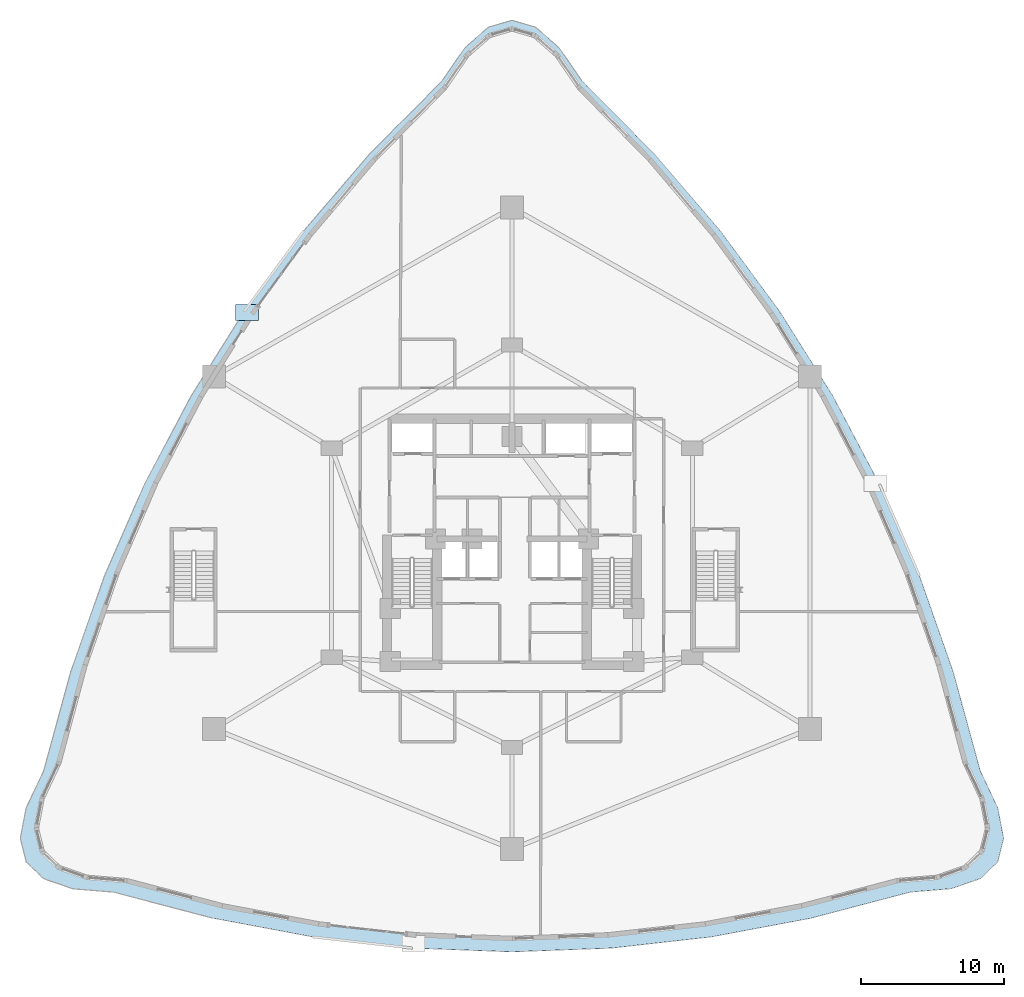
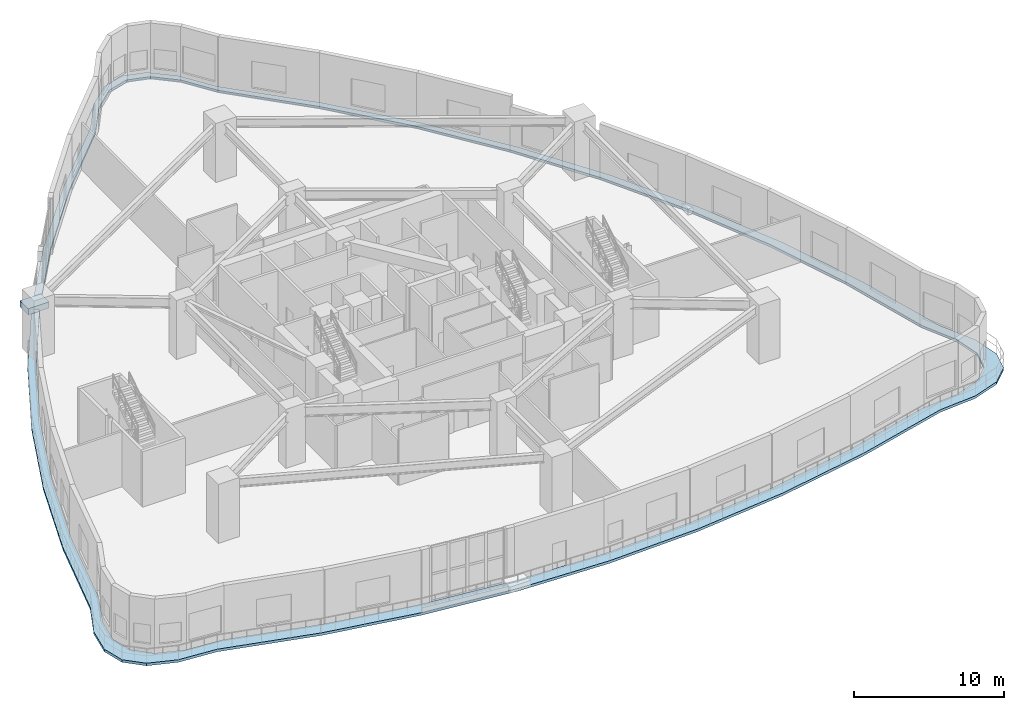
# One storey, part 12 of 23: 2 slabs.
"""IFC4 building model written with IfcOpenShell, lengths in metres."""

import ifcopenshell
import ifcopenshell.guid

model = None  # the IFC model being written
_history = None  # IfcOwnerHistory: only IFC2X3 demands one
_inside = {}  # id of a spatial element -> (the spatial element, [elements in it])
_under = {}  # id of a project, library or spatial element -> (it, [spatial elements below it])
_declared = {}  # id of a project -> (the project, [libraries it declares])
_typed = {}  # id of a type object -> (the type object, [elements of that type])
_made_of = {}  # id of a material, layer set ... -> (it, [elements and type objects made of it])


def new_model(schema):
    """Start an empty IFC model of exactly this schema.

    Asked for "IFC4X3", IfcOpenShell would pick the latest addendum, in which some entities
    have other attributes; the version numbers below select the first issue.
    IFC2X3 requires an IfcOwnerHistory on every rooted entity: one is made here for all.
    """
    global model, _history
    if schema == "IFC4X3":
        model = ifcopenshell.file(schema_version=(4, 3, 0, 0))
    else:
        model = ifcopenshell.file(schema=schema)
    _inside.clear()
    _under.clear()
    _declared.clear()
    _typed.clear()
    _made_of.clear()
    _history = None
    if model.schema == "IFC2X3":
        org = make("IfcOrganization", Name="unknown")
        user = make(
            "IfcPersonAndOrganization",
            ThePerson=make("IfcPerson", FamilyName="unknown"),
            TheOrganization=org,
        )
        app = make(
            "IfcApplication",
            ApplicationDeveloper=org,
            Version="unknown",
            ApplicationFullName="unknown",
            ApplicationIdentifier="unknown",
        )
        _history = make(
            "IfcOwnerHistory",
            OwningUser=user,
            OwningApplication=app,
            ChangeAction="ADDED",
            CreationDate=0,
        )
    return model


def make(cls, **values):
    """One entity of the class cls with the attributes given. An attribute that is None is left unset."""
    return model.create_entity(
        cls, **{name: value for name, value in values.items() if value is not None}
    )


def rooted(cls, **values):
    """An entity with a GlobalId (a new one), such as an element, a storey or a relation."""
    return make(cls, GlobalId=ifcopenshell.guid.new(), OwnerHistory=_history, **values)


def si_unit(unit_type, name, prefix=None):
    """IfcSIUnit, for example si_unit("LENGTHUNIT", "METRE", prefix="MILLI")."""
    return make("IfcSIUnit", UnitType=unit_type, Prefix=prefix, Name=name)


def assignment(units):
    """IfcUnitAssignment: the units of a project."""
    return None if units is None else make("IfcUnitAssignment", Units=units)


def point(xyz):
    """IfcCartesianPoint."""
    return None if xyz is None else make("IfcCartesianPoint", Coordinates=xyz)


def direction(xyz):
    """IfcDirection."""
    return None if xyz is None else make("IfcDirection", DirectionRatios=xyz)


def frame(location, z_axis=None, x_axis=None):
    """IfcAxis2Placement3D, a coordinate frame: its origin and axes. An axis left out is left unset."""
    return make(
        "IfcAxis2Placement3D",
        Location=point(location),
        Axis=direction(z_axis),
        RefDirection=direction(x_axis),
    )


def origin():
    """The frame at (0, 0, 0) with its axes left unset."""
    return frame((0.0, 0.0, 0.0))


def place(relative_to, where):
    """IfcLocalPlacement: puts the frame where relative to a parent placement (None: the world)."""
    return make(
        "IfcLocalPlacement", PlacementRelTo=relative_to, RelativePlacement=where
    )


def context(
    kind, dimensions, precision=None, world=None, true_north=None, identifier=None
):
    """IfcGeometricRepresentationContext, for example the 3D "Model" context."""
    return make(
        "IfcGeometricRepresentationContext",
        ContextIdentifier=identifier,
        ContextType=kind,
        CoordinateSpaceDimension=dimensions,
        Precision=precision,
        WorldCoordinateSystem=world,
        TrueNorth=true_north,
    )


def subcontext(parent, identifier, kind, view, scale=None):
    """IfcGeometricRepresentationSubContext, for example "Body" below "Model"."""
    return make(
        "IfcGeometricRepresentationSubContext",
        ContextIdentifier=identifier,
        ContextType=kind,
        ParentContext=parent,
        TargetScale=scale,
        TargetView=view,
    )


def project(units=None, contexts=None):
    """IfcProject with its units and contexts."""
    return rooted(
        "IfcProject",
        Name="project",
        RepresentationContexts=contexts,
        UnitsInContext=assignment(units),
    )


def spatial(cls, under=None, at=None, **own):
    """A site, building, storey or space (cls), placed at a placement, below another one or the project."""
    s = rooted(cls, ObjectPlacement=at, **own)
    if under is not None:
        _under.setdefault(under.id(), (under, []))[1].append(s)
    return s


def polyline(points):
    """IfcPolyline through the points."""
    return make("IfcPolyline", Points=[point(p) for p in points])


def outline(outer, holes=None, kind="AREA"):
    """IfcArbitraryClosedProfileDef: a profile drawn as a closed curve; with holes, ...WithVoids."""
    if holes is None:
        return make("IfcArbitraryClosedProfileDef", ProfileType=kind, OuterCurve=outer)
    return make(
        "IfcArbitraryProfileDefWithVoids",
        ProfileType=kind,
        OuterCurve=outer,
        InnerCurves=holes,
    )


def extrude(swept, where, along, depth):
    """IfcExtrudedAreaSolid: the profile swept, set in the frame where, extruded along a direction by depth."""
    return make(
        "IfcExtrudedAreaSolid",
        SweptArea=swept,
        Position=where,
        ExtrudedDirection=direction(along),
        Depth=depth,
    )


def shape(context_of_items, identifier, shape_type, items):
    """IfcShapeRepresentation: the items that make up one representation, for example the "Body"."""
    return make(
        "IfcShapeRepresentation",
        ContextOfItems=context_of_items,
        RepresentationIdentifier=identifier,
        RepresentationType=shape_type,
        Items=items,
    )


def material(Name=None, Category=None):
    """IfcMaterial."""
    return make("IfcMaterial", Name=Name, Category=Category)


def layer(
    of_material, thickness, ventilated=None, Name=None, Category=None, Priority=None
):
    """IfcMaterialLayer: one layer of a wall or slab, of a material (None: an air gap)."""
    return make(
        "IfcMaterialLayer",
        Material=of_material,
        LayerThickness=thickness,
        IsVentilated=ventilated,
        Name=Name,
        Category=Category,
        Priority=Priority,
    )


def layer_set(layers, Name=None):
    """IfcMaterialLayerSet."""
    return make("IfcMaterialLayerSet", MaterialLayers=layers, LayerSetName=Name)


def made_of(thing, what):
    """Note that an element or type object is made of a material, layer set ...; save() writes the relation."""
    if what is not None:
        _made_of.setdefault(what.id(), (what, []))[1].append(thing)
    return thing


def type_object(cls, material=None, **own):
    """A type object (cls), such as IfcWallType, which elements share."""
    return made_of(rooted(cls, **own), material)


def element(
    cls,
    number,
    at=None,
    inside=None,
    cuts=None,
    type_object=None,
    material=None,
    context=None,
    identifier="Body",
    shape_type=None,
    held_by="IfcProductDefinitionShape",
    body=None,
    shapes=None,
    **own,
):
    """One element of the class cls, such as IfcWall. Its Tag is "e" and its number.

    at: its placement. inside: the storey or other place that contains it. cuts: it is an
    opening in that element (IfcRelVoidsElement). A single representation is given by context,
    identifier, shape_type and body (its items); several are given by shapes. held_by: the class
    of the entity that holds the representations. save() writes the other relations.
    """
    e = rooted(cls, Tag="e%d" % number, ObjectPlacement=at, **own)
    if body is not None:
        shapes = [shape(context, identifier, shape_type, body)]
    if shapes is not None:
        e.Representation = make(held_by, Representations=shapes)
    if inside is not None:
        _inside.setdefault(inside.id(), (inside, []))[1].append(e)
    if cuts is not None:
        rooted(
            "IfcRelVoidsElement", RelatingBuildingElement=cuts, RelatedOpeningElement=e
        )
    if type_object is not None:
        _typed.setdefault(type_object.id(), (type_object, []))[1].append(e)
    return made_of(e, material)


def aggregate(whole, parts):
    """IfcRelAggregates: a whole, such as a stair, and the parts it consists of."""
    return rooted("IfcRelAggregates", RelatingObject=whole, RelatedObjects=parts)


def save(model, path):
    """Write the relations noted so far, then the file.

    IfcRelAggregates (storeys below a building ...), IfcRelContainedInSpatialStructure (elements
    in a storey), IfcRelDefinesByType, IfcRelAssociatesMaterial and IfcRelDeclares: one each for
    every whole, place, type object, material and project.
    """
    for whole, parts in _under.values():
        aggregate(whole, parts)
    for where, things in _inside.values():
        rooted(
            "IfcRelContainedInSpatialStructure",
            RelatedElements=things,
            RelatingStructure=where,
        )
    for kind, things in _typed.values():
        rooted("IfcRelDefinesByType", RelatedObjects=things, RelatingType=kind)
    for what, things in _made_of.values():
        rooted("IfcRelAssociatesMaterial", RelatedObjects=things, RelatingMaterial=what)
    for by, libraries in _declared.values():
        rooted("IfcRelDeclares", RelatingContext=by, RelatedDefinitions=libraries)
    model.write(path)


model = new_model("IFC4")

# Units and contexts
model_context = context("Model", 3, precision=1e-05, world=origin(), true_north=direction((0.0, 1.0)))
body_context = subcontext(model_context, "Body", "Model", "MODEL_VIEW")
ifc_project = project(units=[si_unit("LENGTHUNIT", "METRE"), si_unit("AREAUNIT", "SQUARE_METRE"), si_unit("VOLUMEUNIT", "CUBIC_METRE"), si_unit("PLANEANGLEUNIT", "RADIAN"), si_unit("MASSUNIT", "GRAM", prefix="KILO")], contexts=[model_context])

# Site, building, storey
site_placement = place(None, origin())
site = spatial("IfcSite", under=ifc_project, at=site_placement, CompositionType="ELEMENT")
building_placement = place(site_placement, origin())
building = spatial("IfcBuilding", under=site, at=building_placement, Name="Miruveldt Soraemaru", CompositionType="ELEMENT")
storey_placement = place(building_placement, frame((0.0, 0.0, 14.39990234375)))
storey = spatial("IfcBuildingStorey", under=building, at=storey_placement, Name="L04", CompositionType="ELEMENT", Elevation=14.39990234375)

# Slabs
ifc_material_1 = material(Name="Precast concrete C45/55 (45 MPa)", Category="concrete")
ifc_layer_1 = layer(ifc_material_1, 0.179931640625, Name="Precast concrete C45/55 (45 MPa)", Category="concrete")
ifc_layer_set_1 = layer_set([ifc_layer_1], Name="Precast concrete C45/55 (45 MPa)")
slab_type_1 = type_object("IfcSlabType", Name="SLAB-PLTR-180", PredefinedType="USERDEFINED", material=ifc_layer_set_1)
slab_1_placement = place(storey_placement, origin())
element("IfcSlab", 1, at=slab_1_placement, inside=storey, type_object=slab_type_1, Name="L04 Terrace Planter Bed PLANTER 1", ObjectType="PLANTER", PredefinedType="USERDEFINED", context=body_context, shape_type="SweptSolid", body=[
    extrude(outline(polyline([(24.696044921875, 59.326904296875), (26.2958984375, 59.326904296875), (26.2958984375, 60.427001953125), (24.696044921875, 60.427001953125), (24.696044921875, 59.326904296875)])), origin(), (0.0, 0.0, 1.0), 0.5),
])
ifc_material_2 = material(Name="Concrete C40/50 (40 MPa)", Category="concrete")
ifc_layer_2 = layer(ifc_material_2, 0.2099609375, Name="Concrete C40/50 (40 MPa)", Category="concrete")
ifc_layer_set_2 = layer_set([ifc_layer_2], Name="Concrete C40/50 (40 MPa)")
slab_type_2 = type_object("IfcSlabType", Name="SLAB-TERR-210", PredefinedType="ROOF", material=ifc_layer_set_2)
slab_2_placement = place(storey_placement, frame((0.0, 0.0, -0.2099609375)))
element("IfcSlab", 2, at=slab_2_placement, inside=storey, type_object=slab_type_2, Name="L04 Planted Terrace Roof Slab", PredefinedType="ROOF", context=body_context, shape_type="SweptSolid", body=[
    extrude(outline(polyline([(53.943603515625, 70.927978515625), (58.54931640625, 65.55810546875), (62.703369140625, 59.927490234375), (66.40576171875, 54.035888671875), (69.656494140625, 47.8837890625), (72.455810546875, 41.470947265625), (74.803466796875, 34.79736328125), (76.699462890625, 27.863037109375), (77.9208984375, 25.277099609375), (78.328125, 23.161376953125), (77.9208984375, 21.515625), (76.699462890625, 20.34033203125), (74.66357421875, 19.635009765625), (71.813232421875, 19.39990234375), (64.860107421875, 17.57470703125), (57.906494140625, 16.27099609375), (50.953369140625, 15.48876953125), (44.0, 15.22802734375), (37.046630859375, 15.48876953125), (30.093505859375, 16.27099609375), (23.139892578125, 17.57470703125), (16.186767578125, 19.39990234375), (13.33642578125, 19.635009765625), (11.300537109375, 20.34033203125), (10.0791015625, 21.515869140625), (9.671875, 23.161376953125), (10.0791015625, 25.277099609375), (11.300537109375, 27.863037109375), (13.196533203125, 34.79736328125), (15.544189453125, 41.470947265625), (18.343505859375, 47.8837890625), (21.59423828125, 54.035888671875), (25.296630859375, 59.927490234375), (29.45068359375, 65.55810546875), (34.056396484375, 70.927978515625), (39.114013671875, 76.037109375), (40.74267578125, 78.3876953125), (42.371337890625, 79.79833984375), (44.0, 80.2685546875), (45.628662109375, 79.79833984375), (47.25732421875, 78.3876953125), (48.885986328125, 76.037109375), (53.943603515625, 70.927978515625)]), holes=[polyline([(47.164794921875, 77.854248046875), (45.586181640625, 79.23583984375), (44.004150390625, 79.698486328125), (42.419677734375, 79.239013671875), (40.837890625, 77.857177734375), (39.260009765625, 75.5576171875), (34.351318359375, 70.555908203125), (29.882568359375, 65.30029296875), (25.85498046875, 59.792236328125), (22.269287109375, 54.031494140625), (19.125, 48.018798828125), (16.422119140625, 41.75341796875), (14.16064453125, 35.23583984375), (12.34130859375, 28.467041015625), (11.15966796875, 25.94091796875), (10.7646484375, 23.869140625), (11.15869140625, 22.25439453125), (12.344970703125, 21.098388671875), (14.320556640625, 20.405517578125), (17.081298828125, 20.17529296875), (23.80908203125, 18.4091796875), (30.539306640625, 17.147216796875), (37.269287109375, 16.389892578125), (43.99951171875, 16.1376953125), (50.7294921875, 16.389892578125), (57.459716796875, 17.14697265625), (64.18994140625, 18.408935546875), (70.918701171875, 20.17529296875), (73.675537109375, 20.40478515625), (75.649658203125, 21.094970703125), (76.837158203125, 22.247314453125), (77.2353515625, 23.86279296875), (76.84130859375, 25.937255859375), (75.65869140625, 28.467041015625), (73.839599609375, 35.23486328125), (71.578369140625, 41.75244140625), (68.87548828125, 48.017578125), (65.731201171875, 54.03076171875), (62.1455078125, 59.791259765625), (58.1181640625, 65.299560546875), (53.6494140625, 70.55517578125), (48.739990234375, 75.5576171875), (47.164794921875, 77.854248046875)])]), origin(), (0.0, 0.0, 1.0), 0.2099609375),
])

save(model, "model.ifc")
